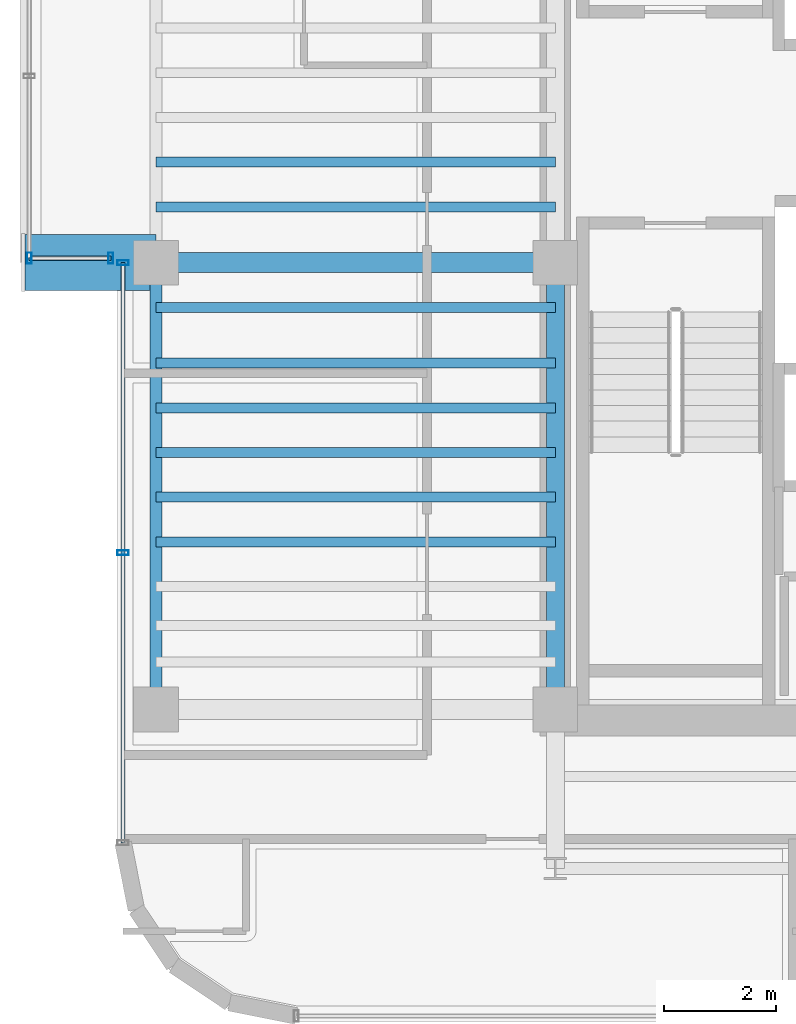
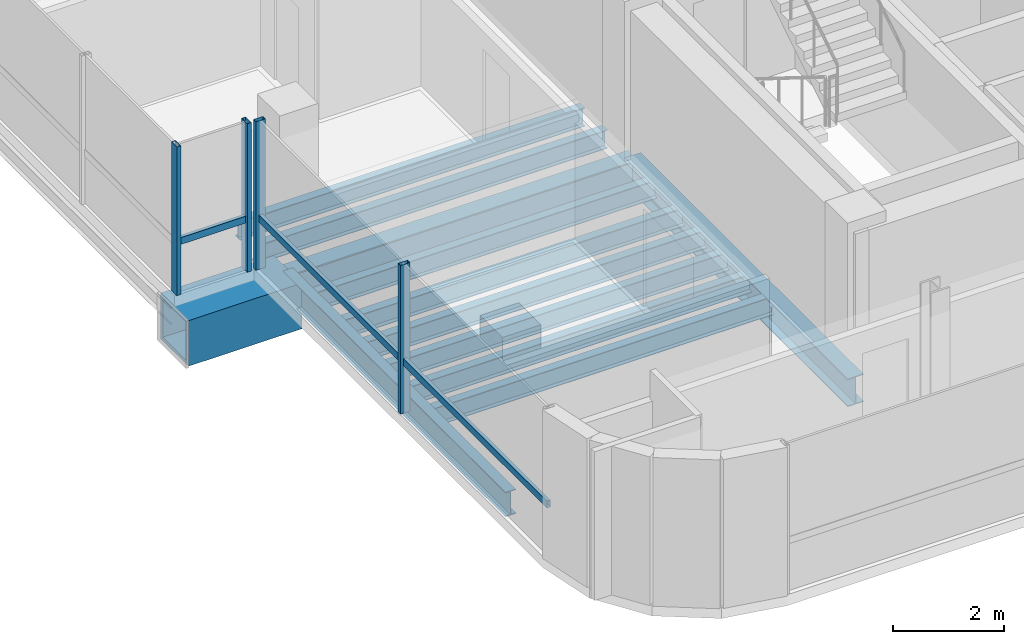
# One storey, part 4 of 20: 12 beams, 6 members, 2 elements without a shape of their own.
"""IFC4 building model written with IfcOpenShell, lengths in metres."""

from ifc_helpers import new_model, si_unit, direction, frame, origin, origin_2d, place, context, subcontext, project, spatial, hollow_rectangle, i_section, extrude, source, transform, mapped, material, material_profile, profile_set, type_object, element, aggregate, save


model = new_model("IFC4")

# Units and contexts
model_context = context("Model", 3, precision=1e-05, world=origin(), true_north=direction((0.0, 1.0)))
body_context = subcontext(model_context, "Body", "Model", "MODEL_VIEW")
ifc_project = project(units=[si_unit("LENGTHUNIT", "METRE"), si_unit("AREAUNIT", "SQUARE_METRE"), si_unit("VOLUMEUNIT", "CUBIC_METRE"), si_unit("PLANEANGLEUNIT", "RADIAN"), si_unit("MASSUNIT", "GRAM", prefix="KILO")], contexts=[model_context])

# Site, building, storey
site_placement = place(None, origin())
site = spatial("IfcSite", under=ifc_project, at=site_placement, CompositionType="ELEMENT")
building_placement = place(site_placement, origin())
building = spatial("IfcBuilding", under=site, at=building_placement, Name="Valdorenza Pilgrim Sanctuary Tower", CompositionType="ELEMENT")
storey_placement = place(building_placement, frame((0.0, 0.0, 244.0)))
storey = spatial("IfcBuildingStorey", under=building, at=storey_placement, Name="L63", CompositionType="ELEMENT", Elevation=244.0)

# Beams
ifc_material_1 = material(Name="Steel ASTM A992 Grade 50", Category="steel")
ifc_material_profile_1 = material_profile(ifc_material_1, i_section(OverallWidth=0.323974609375, OverallDepth=0.611083984375, WebThickness=0.0126953125, FlangeThickness=0.01904296875, at=origin_2d()), Name="W24X104")
ifc_profile_set_1 = profile_set([ifc_material_profile_1], Name="Steel ASTM A992 Grade 50")
beam_type_1 = type_object("IfcBeamType", Name="STR-BM-GRD-W24B", PredefinedType="BEAM", material=ifc_profile_set_1)
shared_shape_1 = source(origin(), body_context, "Body", "SweptSolid", [
    extrude(i_section(OverallWidth=0.323974609375, OverallDepth=0.611083984375, WebThickness=0.0126953125, FlangeThickness=0.01904296875, at=origin_2d()), origin(), (0.0, 0.0, 1.0), 8.0),
])
beam_1_placement = place(storey_placement, frame((-22.64990234375, -10.60009765625, -0.54541015625), z_axis=(0.0, 1.0, 0.0), x_axis=(-1.0, 0.0, 0.0)))
element("IfcBeam", 1, at=beam_1_placement, inside=storey, type_object=beam_type_1, Name="L63 Core Tie Girder CA-W-S1M0", PredefinedType="BEAM", context=body_context, shape_type="MappedRepresentation", body=[
    mapped(shared_shape_1, transform((0.0, 0.0, 0.0), x_axis=(1.0, 0.0, 0.0), y_axis=(0.0, 1.0, 0.0), z_axis=(0.0, 0.0, 1.0), scale=1.0)),
])
ifc_material_profile_2 = material_profile(ifc_material_1, i_section(OverallWidth=0.2109375, OverallDepth=0.5390625, WebThickness=0.01171875, FlangeThickness=0.018798828125, at=origin_2d()), Name="W21X73")
ifc_profile_set_2 = profile_set([ifc_material_profile_2], Name="Steel ASTM A992 Grade 50")
beam_type_2 = type_object("IfcBeamType", Name="STR-BM-SPN-W21B", PredefinedType="SPANDREL", material=ifc_profile_set_2)
shared_shape_2 = source(origin(), body_context, "Body", "SweptSolid", [
    extrude(i_section(OverallWidth=0.2109375, OverallDepth=0.5390625, WebThickness=0.01171875, FlangeThickness=0.018798828125, at=origin_2d()), origin(), (0.0, 0.0, 1.0), 8.0),
])
beam_2_placement = place(storey_placement, frame((-29.800048828125, -10.60009765625, -0.509521484375), z_axis=(0.0, 1.0, 0.0), x_axis=(-1.0, 0.0, 0.0)))
element("IfcBeam", 2, at=beam_2_placement, inside=storey, type_object=beam_type_2, Name="L63 Spandrel Beam WA-W-S1M0", PredefinedType="SPANDREL", context=body_context, shape_type="MappedRepresentation", body=[
    mapped(shared_shape_2, transform((0.0, 0.0, 0.0), x_axis=(1.0, 0.0, 0.0), y_axis=(0.0, 1.0, 0.0), z_axis=(0.0, 0.0, 1.0), scale=1.0)),
])
ifc_material_profile_3 = material_profile(ifc_material_1, i_section(OverallWidth=0.35595703125, OverallDepth=0.700927734375, WebThickness=0.016845703125, FlangeThickness=0.02734375, at=origin_2d()), Name="W27X161")
ifc_profile_set_3 = profile_set([ifc_material_profile_3], Name="Steel ASTM A992 Grade 50")
beam_type_3 = type_object("IfcBeamType", Name="STR-BM-GRD-W27", PredefinedType="BEAM", material=ifc_profile_set_3)
shared_shape_3 = source(origin(), body_context, "Body", "SweptSolid", [
    extrude(i_section(OverallWidth=0.35595703125, OverallDepth=0.700927734375, WebThickness=0.016845703125, FlangeThickness=0.02734375, at=origin_2d()), origin(), (0.0, 0.0, 1.0), 7.150146484375),
])
beam_3_placement = place(storey_placement, frame((-29.800048828125, -2.60009765625, -0.590576171875), z_axis=(1.0, 0.0, 0.0), x_axis=(0.0, 1.0, 0.0)))
element("IfcBeam", 3, at=beam_3_placement, inside=storey, type_object=beam_type_3, Name="L63 Floor Girder WA-XW-M0", PredefinedType="BEAM", context=body_context, shape_type="MappedRepresentation", body=[
    mapped(shared_shape_3, transform((0.0, 0.0, 0.0), x_axis=(1.0, 0.0, 0.0), y_axis=(0.0, 1.0, 0.0), z_axis=(0.0, 0.0, 1.0), scale=1.0)),
])
ifc_material_profile_4 = material_profile(ifc_material_1, i_section(OverallWidth=0.177978515625, OverallDepth=0.406005859375, WebThickness=0.0078125, FlangeThickness=0.0126953125, at=origin_2d()), Name="W16X40")
ifc_profile_set_4 = profile_set([ifc_material_profile_4], Name="Steel ASTM A992 Grade 50")
beam_type_4 = type_object("IfcBeamType", Name="STR-BM-JST-W16", PredefinedType="JOIST", material=ifc_profile_set_4)
shared_shape_4 = source(origin(), body_context, "Body", "SweptSolid", [
    extrude(i_section(OverallWidth=0.177978515625, OverallDepth=0.406005859375, WebThickness=0.0078125, FlangeThickness=0.0126953125, at=origin_2d()), origin(), (0.0, 0.0, 1.0), 7.150146484375),
])
for number, where, z_axis, x_axis, name in (
    (4, (-29.800048828125, -7.60009765625, -0.443115234375), (1.0, 0.0, 0.0), (0.0, 1.0, 0.0), "L63 Composite Floor Joist JST-WA-4"),
    (5, (-29.800048828125, -6.800048828125, -0.443115234375), (1.0, 0.0, 0.0), (0.0, 1.0, 0.0), "L63 Composite Floor Joist JST-WA-5"),
    (6, (-29.800048828125, -6.0, -0.443115234375), (1.0, 0.0, 0.0), (0.0, 1.0, 0.0), "L63 Composite Floor Joist JST-WA-6"),
    (7, (-29.800048828125, -5.199951171875, -0.443115234375), (1.0, 0.0, 0.0), (0.0, 1.0, 0.0), "L63 Composite Floor Joist JST-WA-7"),
    (8, (-29.800048828125, -4.39990234375, -0.443115234375), (1.0, 0.0, 0.0), (0.0, 1.0, 0.0), "L63 Composite Floor Joist JST-WA-8"),
    (9, (-29.800048828125, -3.39990234375, -0.443115234375), (1.0, 0.0, 0.0), (0.0, 1.0, 0.0), "L63 Composite Floor Joist JST-WA-9"),
    (10, (-29.800048828125, -1.60009765625, -0.443115234375), (1.0, 0.0, 0.0), (0.0, 1.0, 0.0), "L63 Composite Floor Joist JST-WA-10"),
    (11, (-29.800048828125, -0.800048828125, -0.443115234375), (1.0, 0.0, 0.0), (0.0, 1.0, 0.0), "L63 Composite Floor Joist JST-WA-11"),
):
    element("IfcBeam", number, at=place(storey_placement, frame(where, z_axis=z_axis, x_axis=x_axis)), inside=storey, type_object=beam_type_4, Name=name, PredefinedType="JOIST", context=body_context, shape_type="MappedRepresentation", body=[
        mapped(shared_shape_4, transform((0.0, 0.0, 0.0), x_axis=(1.0, 0.0, 0.0), y_axis=(0.0, 1.0, 0.0), z_axis=(0.0, 0.0, 1.0), scale=1.0)),
    ])
ifc_material_2 = material(Name="Steel ASTM A572 Grade 42", Category="steel")
ifc_material_profile_5 = material_profile(ifc_material_2, hollow_rectangle(XDim=1.0, YDim=1.0, WallThickness=0.080078125, at=origin_2d()), Name="BOX 1000x1000x80")
ifc_profile_set_5 = profile_set([ifc_material_profile_5], Name="Steel ASTM A572 Grade 42")
beam_type_5 = type_object("IfcBeamType", Name="STR-BM-PROW-CANT", PredefinedType="BEAM", material=ifc_profile_set_5)
shared_shape_5 = source(origin(), body_context, "Body", "SweptSolid", [
    extrude(hollow_rectangle(XDim=1.0, YDim=1.0, WallThickness=0.080078125, at=origin_2d()), origin(), (0.0, 0.0, 1.0), 2.349853515625),
])
beam_4_placement = place(storey_placement, frame((-29.800048828125, -2.60009765625, -0.739990234375), z_axis=(-1.0, 0.0, 0.0), x_axis=(0.0, -1.0, 0.0)))
element("IfcBeam", 12, at=beam_4_placement, inside=storey, type_object=beam_type_5, Name="L63 Glass Box Cantilever Beam BOX-WA-L63-CT-S", PredefinedType="BEAM", context=body_context, shape_type="MappedRepresentation", body=[
    mapped(shared_shape_5, transform((0.0, 0.0, 0.0), x_axis=(1.0, 0.0, 0.0), y_axis=(0.0, 1.0, 0.0), z_axis=(0.0, 0.0, 1.0), scale=1.0)),
])

# Curtain wall, member
ifc_material_3 = material(Name="Curtain-wall IGU glazing", Category="glass")
curtain_wall_type = type_object("IfcCurtainWallType", Name="CW-SYS-02", PredefinedType="NOTDEFINED", material=ifc_material_3)
curtain_wall_1_placement = place(storey_placement, origin())
curtain_wall_1 = element("IfcCurtainWall", 13, at=curtain_wall_1_placement, inside=storey, type_object=curtain_wall_type, Name="L63 Curtain Wall CW-L63-BOX-WA-L63-S", PredefinedType="NOTDEFINED")
ifc_material_4 = material(Name="Anodised aluminium AW-6060", Category="aluminium")
ifc_material_profile_6 = material_profile(ifc_material_4, hollow_rectangle(XDim=0.074951171875, YDim=0.14990234375, WallThickness=0.00390625, at=origin_2d()), Name="ALU-T 150x75x4")
ifc_profile_set_6 = profile_set([ifc_material_profile_6], Name="Anodised aluminium AW-6060")
member_type_1 = type_object("IfcMemberType", Name="CW-TRN-02", PredefinedType="USERDEFINED", material=ifc_profile_set_6)
shared_shape_6 = source(origin(), body_context, "Body", "SweptSolid", [
    extrude(hollow_rectangle(XDim=0.074951171875, YDim=0.14990234375, WallThickness=0.00390625, at=origin_2d()), origin(), (0.0, 0.0, 1.0), 1.4599609375),
])
member_1_placement = place(storey_placement, frame((-30.610107421875, -2.52001953125, 1.1201171875), z_axis=(-1.0, 0.0, 0.0), x_axis=(0.0, -1.0, 0.0)))
member_1 = element("IfcMember", 14, at=member_1_placement, type_object=member_type_1, Name="CW-L63-BOX-WA-L63-S Transom 1", ObjectType="TRANSOM", PredefinedType="USERDEFINED", context=body_context, shape_type="MappedRepresentation", body=[
    mapped(shared_shape_6, transform((0.0, 0.0, 0.0), x_axis=(1.0, 0.0, 0.0), y_axis=(0.0, 1.0, 0.0), z_axis=(0.0, 0.0, 1.0), scale=1.0)),
])

# Curtain wall, members
curtain_wall_2_placement = place(storey_placement, origin())
curtain_wall_2 = element("IfcCurtainWall", 15, at=curtain_wall_2_placement, inside=storey, type_object=curtain_wall_type, Name="L63 Curtain Wall CW-L63-1-1S1", PredefinedType="NOTDEFINED")
ifc_material_profile_7 = material_profile(ifc_material_4, hollow_rectangle(XDim=0.0849609375, YDim=0.199951171875, WallThickness=0.0048828125, at=origin_2d()), Name="ALU-M 200x85x5")
ifc_profile_set_7 = profile_set([ifc_material_profile_7], Name="Anodised aluminium AW-6060")
member_type_2 = type_object("IfcMemberType", Name="CW-MUL-02", PredefinedType="MULLION", material=ifc_profile_set_7)
shared_shape_7 = source(origin(), body_context, "Body", "SweptSolid", [
    extrude(hollow_rectangle(XDim=0.0849609375, YDim=0.199951171875, WallThickness=0.0048828125, at=origin_2d()), origin(), (0.0, 0.0, 1.0), 3.260009765625),
])
member_2_placement = place(storey_placement, frame((-30.389892578125, -7.794677734375, 0.0), z_axis=(0.0, 0.0, 1.0), x_axis=(0.0, 1.0, 0.0)))
member_2 = element("IfcMember", 16, at=member_2_placement, type_object=member_type_2, Name="CW-L63-1-1S1 Mullion 2", PredefinedType="MULLION", context=body_context, shape_type="MappedRepresentation", body=[
    mapped(shared_shape_7, transform((0.0, 0.0, 0.0), x_axis=(1.0, 0.0, 0.0), y_axis=(0.0, 1.0, 0.0), z_axis=(0.0, 0.0, 1.0), scale=1.0)),
])
member_3_placement = place(storey_placement, frame((-30.389892578125, -2.60009765625, 0.0), z_axis=(0.0, 0.0, 1.0), x_axis=(0.0, 1.0, 0.0)))
member_3 = element("IfcMember", 17, at=member_3_placement, type_object=member_type_2, Name="CW-L63-1-1S1 Mullion 3", PredefinedType="MULLION", context=body_context, shape_type="MappedRepresentation", body=[
    mapped(shared_shape_7, transform((0.0, 0.0, 0.0), x_axis=(1.0, 0.0, 0.0), y_axis=(0.0, 1.0, 0.0), z_axis=(0.0, 0.0, 1.0), scale=1.0)),
])

# Member
member_4_placement = place(storey_placement, frame((-30.610107421875, -2.52001953125, 0.0), z_axis=(0.0, 0.0, 1.0), x_axis=(-1.0, 0.0, 0.0)))
member_4 = element("IfcMember", 18, at=member_4_placement, type_object=member_type_2, Name="CW-L63-BOX-WA-L63-S Mullion 1", PredefinedType="MULLION", context=body_context, shape_type="MappedRepresentation", body=[
    mapped(shared_shape_7, transform((0.0, 0.0, 0.0), x_axis=(1.0, 0.0, 0.0), y_axis=(0.0, 1.0, 0.0), z_axis=(0.0, 0.0, 1.0), scale=1.0)),
])

member_5_placement = place(storey_placement, frame((-32.070068359375, -2.52001953125, 0.0), z_axis=(0.0, 0.0, 1.0), x_axis=(-1.0, 0.0, 0.0)))
member_5 = element("IfcMember", 19, at=member_5_placement, type_object=member_type_2, Name="CW-L63-BOX-WA-L63-S Mullion 2", PredefinedType="MULLION", context=body_context, shape_type="MappedRepresentation", body=[
    mapped(shared_shape_7, transform((0.0, 0.0, 0.0), x_axis=(1.0, 0.0, 0.0), y_axis=(0.0, 1.0, 0.0), z_axis=(0.0, 0.0, 1.0), scale=1.0)),
])

aggregate(curtain_wall_1, [member_4, member_5, member_1])

shared_shape_8 = source(origin(), body_context, "Body", "SweptSolid", [
    extrude(hollow_rectangle(XDim=0.074951171875, YDim=0.14990234375, WallThickness=0.00390625, at=origin_2d()), origin(), (0.0, 0.0, 1.0), 10.38916015625),
])
member_6_placement = place(storey_placement, frame((-30.389892578125, -12.9892578125, 1.1201171875), z_axis=(0.0, 1.0, 0.0), x_axis=(-1.0, 0.0, 0.0)))
member_6 = element("IfcMember", 20, at=member_6_placement, type_object=member_type_1, Name="CW-L63-1-1S1 Transom 1", ObjectType="TRANSOM", PredefinedType="USERDEFINED", context=body_context, shape_type="MappedRepresentation", body=[
    mapped(shared_shape_8, transform((0.0, 0.0, 0.0), x_axis=(1.0, 0.0, 0.0), y_axis=(0.0, 1.0, 0.0), z_axis=(0.0, 0.0, 1.0), scale=1.0)),
])

aggregate(curtain_wall_2, [member_2, member_3, member_6])

save(model, "model.ifc")
